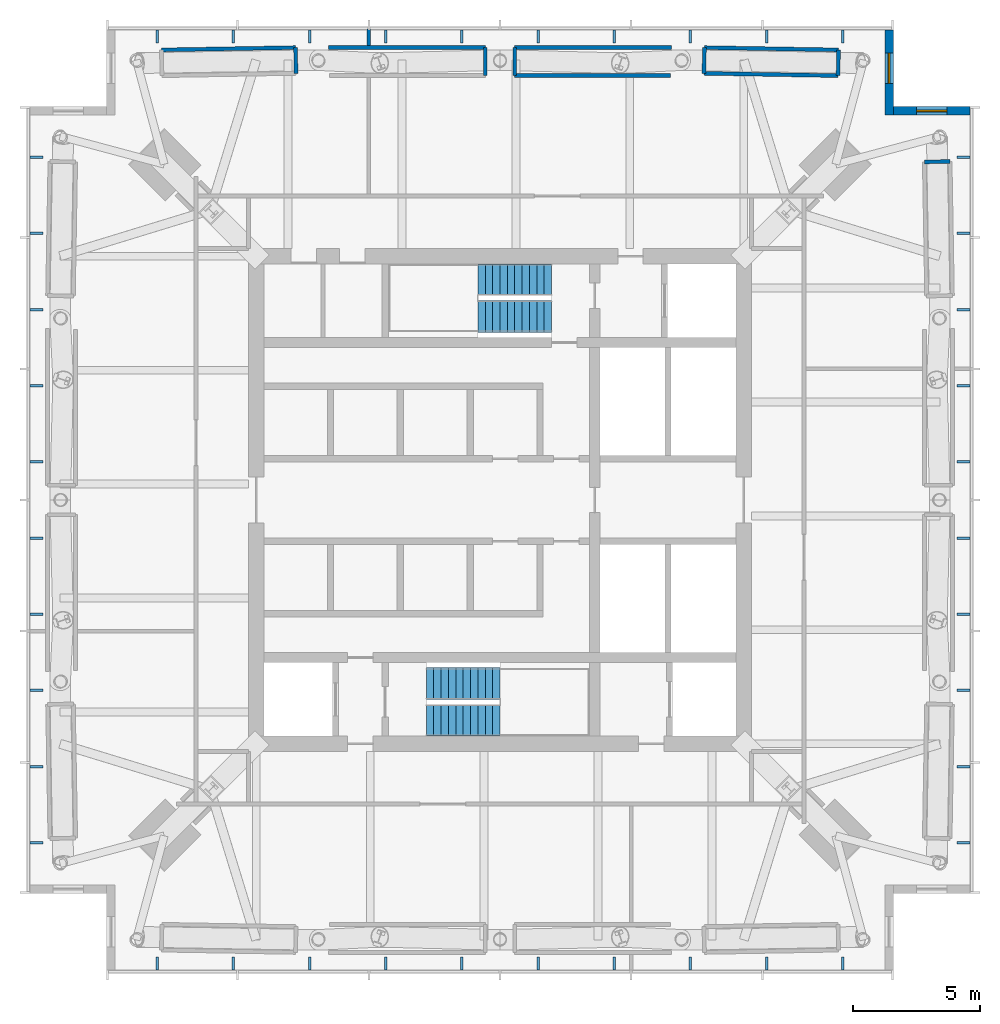
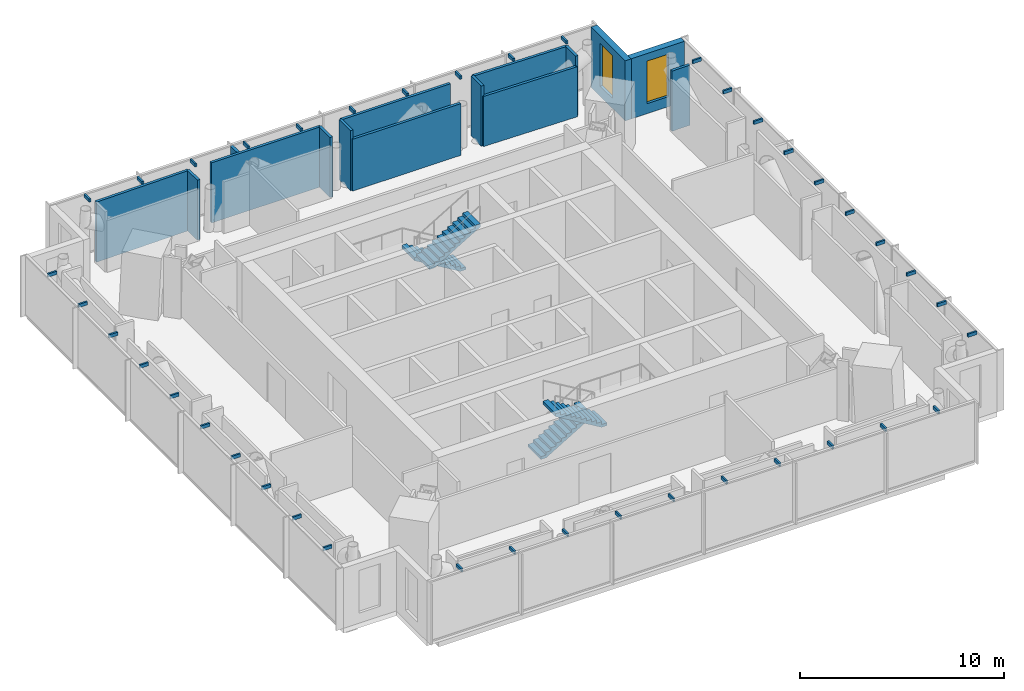
# One storey, part 7 of 8: 40 discrete accessories, 15 walls, 4 stair flights, 2 windows, 2 openings, 2 elements without a shape of their own.
"""IFC4 building model written with IfcOpenShell, lengths in metres."""

from ifc_helpers import new_model, si_unit, direction, frame, frame_2d, origin, origin_2d, place, context, subcontext, project, spatial, polyline, rectangle, outline, extrude, material, layer, layer_set, type_object, element, fill, aggregate, save


model = new_model("IFC4")

# Units and contexts
model_context = context("Model", 3, precision=1e-05, world=origin(), true_north=direction((0.0, 1.0)))
body_context = subcontext(model_context, "Body", "Model", "MODEL_VIEW")
ifc_project = project(units=[si_unit("LENGTHUNIT", "METRE"), si_unit("AREAUNIT", "SQUARE_METRE"), si_unit("VOLUMEUNIT", "CUBIC_METRE"), si_unit("PLANEANGLEUNIT", "RADIAN"), si_unit("MASSUNIT", "GRAM", prefix="KILO")], contexts=[model_context])

# Site, building, storey
site_placement = place(None, origin())
site = spatial("IfcSite", under=ifc_project, at=site_placement, CompositionType="ELEMENT")
building_placement = place(site_placement, origin())
building = spatial("IfcBuilding", under=site, at=building_placement, Name="Ostroluk Exchange", CompositionType="ELEMENT")
storey_placement = place(building_placement, frame((0.0, 0.0, 230.0)))
storey = spatial("IfcBuildingStorey", under=building, at=storey_placement, Name="L59", CompositionType="ELEMENT", Elevation=230.0)

# Wall, opening, window
ifc_material_1 = material(Name="Limestone", Category="masonry")
ifc_layer_1 = layer(ifc_material_1, 0.35009765625)
ifc_layer_set_1 = layer_set([ifc_layer_1], Name="Limestone facade wall 350")
wall_type_1 = type_object("IfcWallType", Name="Limestone facade wall 350", PredefinedType="SOLIDWALL", material=ifc_layer_set_1)
wall_1_placement = place(storey_placement, frame((60.324951171875, 64.5, 0.0), z_axis=(0.0, 0.0, 1.0), x_axis=(0.0, -1.0, 0.0)))
wall_1 = element("IfcWall", 1, at=wall_1_placement, inside=storey, type_object=wall_type_1, Name="Office tower NE corner wall L59 a", PredefinedType="SOLIDWALL", context=body_context, shape_type="SweptSolid", body=[
    extrude(rectangle(XDim=3.35009765625, YDim=0.35009765625, at=frame_2d((1.675048828125, 0.0))), origin(), (0.0, 0.0, 1.0), 3.60009765625),
])
opening_1_placement = place(wall_1_placement, frame((0.89990234375, 0.0, 0.60009765625)))
opening_1 = element("IfcOpeningElement", 2, at=opening_1_placement, cuts=wall_1, Name="Opening WN-LV1", PredefinedType="OPENING", context=body_context, shape_type="SweptSolid", body=[
    extrude(rectangle(XDim=1.199951171875, YDim=2.550048828125, at=frame_2d((0.60009765625, 1.27490234375))), frame((0.0, 0.18505859375, 0.0), z_axis=(0.0, -1.0, 0.0), x_axis=(1.0, 0.0, 0.0)), (0.0, 0.0, 1.0), 0.3701171875),
])
ifc_material_2 = material(Name="Aluminium louvre", Category="aluminium")
window_type = type_object("IfcWindowType", Name="Lancet louvre 1200 x 2550", PartitioningType="SINGLE_PANEL", PredefinedType="USERDEFINED", material=ifc_material_2)
window_1_placement = place(opening_1_placement, origin())
window_1 = element("IfcWindow", 3, at=window_1_placement, inside=storey, type_object=window_type, Name="Office tower NE plant louvre L59", ObjectType="LOUVRE", OverallHeight=2.550048828125, OverallWidth=1.199951171875, PartitioningType="SINGLE_PANEL", PredefinedType="USERDEFINED", context=body_context, shape_type="SweptSolid", body=[
    extrude(rectangle(XDim=1.199951171875, YDim=2.550048828125, at=frame_2d((0.60009765625, 1.27490234375))), frame((0.0, 0.030029296875, 0.0), z_axis=(0.0, -1.0, 0.0), x_axis=(1.0, 0.0, 0.0)), (0.0, 0.0, 1.0), 0.06005859375),
])
fill(opening_1, window_1)

wall_2_placement = place(storey_placement, frame((60.5, 61.324951171875, 0.0), z_axis=(0.0, 0.0, 1.0), x_axis=(1.0, 0.0, 0.0)))
wall_2 = element("IfcWall", 4, at=wall_2_placement, inside=storey, type_object=wall_type_1, Name="Office tower NE corner wall L59 b", PredefinedType="SOLIDWALL", context=body_context, shape_type="SweptSolid", body=[
    extrude(rectangle(XDim=3.0, YDim=0.35009765625, at=frame_2d((1.5, 0.0))), origin(), (0.0, 0.0, 1.0), 3.60009765625),
])
opening_2_placement = place(wall_2_placement, frame((0.89990234375, 0.0, 0.60009765625)))
opening_2 = element("IfcOpeningElement", 5, at=opening_2_placement, cuts=wall_2, Name="Opening WN-LV1", PredefinedType="OPENING", context=body_context, shape_type="SweptSolid", body=[
    extrude(rectangle(XDim=1.199951171875, YDim=2.550048828125, at=frame_2d((0.60009765625, 1.27490234375))), frame((0.0, 0.18505859375, 0.0), z_axis=(0.0, -1.0, 0.0), x_axis=(1.0, 0.0, 0.0)), (0.0, 0.0, 1.0), 0.3701171875),
])
window_2_placement = place(opening_2_placement, origin())
window_2 = element("IfcWindow", 6, at=window_2_placement, inside=storey, type_object=window_type, Name="Office tower NE plant louvre L59", ObjectType="LOUVRE", OverallHeight=2.550048828125, OverallWidth=1.199951171875, PartitioningType="SINGLE_PANEL", PredefinedType="USERDEFINED", context=body_context, shape_type="SweptSolid", body=[
    extrude(rectangle(XDim=1.199951171875, YDim=2.550048828125, at=frame_2d((0.60009765625, 1.27490234375))), frame((0.0, 0.030029296875, 0.0), z_axis=(0.0, -1.0, 0.0), x_axis=(1.0, 0.0, 0.0)), (0.0, 0.0, 1.0), 0.06005859375),
])
fill(opening_2, window_2)

# Walls
ifc_material_3 = material(Name="Gypsum plasterboard partition", Category="gypsum")
ifc_layer_2 = layer(ifc_material_3, 0.14990234375)
ifc_layer_set_2 = layer_set([ifc_layer_2], Name="Plasterboard partition 150")
wall_type_2 = type_object("IfcWallType", Name="Plasterboard partition 150", PredefinedType="PARTITIONING", material=ifc_layer_set_2)
wall_3_placement = place(storey_placement, frame((39.833251953125, 63.88720703125, 0.0), z_axis=(0.0, 0.0, 1.0), x_axis=(0.0, 1.0, 0.0)))
element("IfcWall", 7, at=wall_3_placement, inside=storey, type_object=wall_type_2, Name="Partition", PredefinedType="PARTITIONING", context=body_context, shape_type="SweptSolid", body=[
    extrude(rectangle(XDim=0.65283203125, YDim=0.14990234375, at=frame_2d((0.326416015625, 0.0))), origin(), (0.0, 0.0, 1.0), 3.60009765625),
])
wall_4_placement = place(storey_placement, frame((38.23828125, 63.81201171875, 0.0), z_axis=(0.0, 0.0, 1.0), x_axis=(0.999999996882, 7.8973346e-05, 0.0)))
element("IfcWall", 8, at=wall_4_placement, inside=storey, type_object=wall_type_2, Name="Partition", PredefinedType="PARTITIONING", context=body_context, shape_type="SweptSolid", body=[
    extrude(rectangle(XDim=6.182861328125, YDim=0.14990234375, at=frame_2d((3.09130859375, 0.0))), origin(), (0.0, 0.0, 1.0), 3.60009765625),
])
wall_5_placement = place(storey_placement, frame((44.421142578125, 63.8125, 0.0), z_axis=(0.0, 0.0, 1.0), x_axis=(0.00022128789, -0.999999975516, 0.0)))
element("IfcWall", 9, at=wall_5_placement, inside=storey, type_object=wall_type_2, Name="Partition", PredefinedType="PARTITIONING", context=body_context, shape_type="SweptSolid", body=[
    extrude(rectangle(XDim=1.103271484375, YDim=0.14990234375, at=frame_2d((0.5517578125, 0.0))), origin(), (0.0, 0.0, 1.0), 3.60009765625),
])
wall_6_placement = place(storey_placement, frame((31.671142578125, 63.7216796875, 0.0), z_axis=(0.0, 0.0, 1.0), x_axis=(0.999851276861, 0.017245989654, 0.0)))
element("IfcWall", 10, at=wall_6_placement, inside=storey, type_object=wall_type_2, Name="Partition", PredefinedType="PARTITIONING", context=body_context, shape_type="SweptSolid", body=[
    extrude(rectangle(XDim=5.2802734375, YDim=0.14990234375, at=frame_2d((2.64013671875, 0.0))), origin(), (0.0, 0.0, 1.0), 3.60009765625),
])
for number, where, z_axis, x_axis, name in (
    (11, (36.95068359375, 63.812744140625, 0.0), (0.0, 0.0, 1.0), (0.017110052176, -0.999853612343, 0.0), "Partition"),
    (12, (61.708740234375, 59.311279296875, 0.0), (0.0, 0.0, 1.0), (0.999849460645, 0.017350966779, 0.0), "Partition"),
):
    element("IfcWall", number, at=place(storey_placement, frame(where, z_axis=z_axis, x_axis=x_axis)), inside=storey, type_object=wall_type_2, Name=name, PredefinedType="PARTITIONING", context=body_context, shape_type="SweptSolid", body=[
        extrude(rectangle(XDim=1.01318359375, YDim=0.14990234375, at=frame_2d((0.506591796875, 0.0))), origin(), (0.0, 0.0, 1.0), 3.60009765625),
    ])
wall_7_placement = place(storey_placement, frame((51.711669921875, 62.708740234375, 0.0), z_axis=(0.0, 0.0, 1.0), x_axis=(-0.999999996831, 7.9614665e-05, 0.0)))
element("IfcWall", 13, at=wall_7_placement, inside=storey, type_object=wall_type_2, Name="Partition", PredefinedType="PARTITIONING", context=body_context, shape_type="SweptSolid", body=[
    extrude(rectangle(XDim=6.133056640625, YDim=0.14990234375, at=frame_2d((3.06640625, 0.0))), origin(), (0.0, 0.0, 1.0), 3.10009765625),
])
wall_8_placement = place(storey_placement, frame((45.57861328125, 62.709228515625, 0.0), z_axis=(0.0, 0.0, 1.0), x_axis=(0.00022128789, 0.999999975516, 0.0)))
element("IfcWall", 14, at=wall_8_placement, inside=storey, type_object=wall_type_2, Name="Partition", PredefinedType="PARTITIONING", context=body_context, shape_type="SweptSolid", body=[
    extrude(rectangle(XDim=1.103271484375, YDim=0.14990234375, at=frame_2d((0.5517578125, 0.0))), origin(), (0.0, 0.0, 1.0), 3.60009765625),
])
wall_9_placement = place(storey_placement, frame((45.578857421875, 63.8125, 0.0), z_axis=(0.0, 0.0, 1.0), x_axis=(0.999999996882, -7.8973346e-05, 0.0)))
element("IfcWall", 15, at=wall_9_placement, inside=storey, type_object=wall_type_2, Name="Partition", PredefinedType="PARTITIONING", context=body_context, shape_type="SweptSolid", body=[
    extrude(rectangle(XDim=6.182861328125, YDim=0.14990234375, at=frame_2d((3.09130859375, 0.0))), origin(), (0.0, 0.0, 1.0), 3.60009765625),
])
wall_10_placement = place(storey_placement, frame((58.311279296875, 62.708740234375, 0.0), z_axis=(0.0, 0.0, 1.0), x_axis=(-0.999851263109, 0.017246786956, 0.0)))
element("IfcWall", 16, at=wall_10_placement, inside=storey, type_object=wall_type_2, Name="Partition", PredefinedType="PARTITIONING", context=body_context, shape_type="SweptSolid", body=[
    extrude(rectangle(XDim=5.280029296875, YDim=0.14990234375, at=frame_2d((2.64013671875, 0.0))), origin(), (0.0, 0.0, 1.0), 3.0),
])
wall_11_placement = place(storey_placement, frame((53.031982421875, 62.7998046875, 0.0), z_axis=(0.0, 0.0, 1.0), x_axis=(0.017110052176, 0.999853612343, 0.0)))
element("IfcWall", 17, at=wall_11_placement, inside=storey, type_object=wall_type_2, Name="Partition", PredefinedType="PARTITIONING", context=body_context, shape_type="SweptSolid", body=[
    extrude(rectangle(XDim=1.01318359375, YDim=0.14990234375, at=frame_2d((0.506591796875, 0.0))), origin(), (0.0, 0.0, 1.0), 3.60009765625),
])
wall_12_placement = place(storey_placement, frame((53.04931640625, 63.812744140625, 0.0), z_axis=(0.0, 0.0, 1.0), x_axis=(0.999851276861, -0.017245989654, 0.0)))
element("IfcWall", 18, at=wall_12_placement, inside=storey, type_object=wall_type_2, Name="Partition", PredefinedType="PARTITIONING", context=body_context, shape_type="SweptSolid", body=[
    extrude(rectangle(XDim=5.2802734375, YDim=0.14990234375, at=frame_2d((2.64013671875, 0.0))), origin(), (0.0, 0.0, 1.0), 3.60009765625),
])
wall_13_placement = place(storey_placement, frame((58.328857421875, 63.7216796875, 0.0), z_axis=(0.0, 0.0, 1.0), x_axis=(-0.017350966779, -0.999849460645, 0.0)))
element("IfcWall", 19, at=wall_13_placement, inside=storey, type_object=wall_type_2, Name="Partition", PredefinedType="PARTITIONING", context=body_context, shape_type="SweptSolid", body=[
    extrude(rectangle(XDim=1.01318359375, YDim=0.14990234375, at=frame_2d((0.506591796875, 0.0))), origin(), (0.0, 0.0, 1.0), 3.60009765625),
])

# Stair, stair flights
ifc_material_4 = material(Name="Concrete C30/37", Category="concrete")
stair_type = type_object("IfcStairType", Name="Exit stair half turn 3800", PredefinedType="HALF_TURN_STAIR", material=ifc_material_4)
stair_1_placement = place(storey_placement, origin())
stair_1 = element("IfcStair", 20, at=stair_1_placement, inside=storey, type_object=stair_type, Name="Stair T1-S1 L59", PredefinedType="HALF_TURN_STAIR")
ifc_material_5 = material(Name="Concrete C30/37", Category="concrete")
stair_flight_type = type_object("IfcStairFlightType", Name="Stair flight 11 risers 172.7 x 290", PredefinedType="STRAIGHT", material=ifc_material_5)
stair_flight_1_placement = place(storey_placement, frame((42.10009765625, 38.77490234375, 0.0), z_axis=(0.0, 0.0, 1.0), x_axis=(1.0, 0.0, 0.0)))
stair_flight_1 = element("IfcStairFlight", 21, at=stair_flight_1_placement, type_object=stair_flight_type, Name="T1-S1 flight 1", NumberOfRisers=11, NumberOfTreads=10, PredefinedType="STRAIGHT", RiserHeight=0.172727273, TreadLength=0.29, context=body_context, shape_type="SweptSolid", body=[
    extrude(outline(polyline([(0.0, 0.0), (0.0, 0.172607421875), (0.2900390625, 0.172607421875), (0.2900390625, 0.345458984375), (0.580078125, 0.345458984375), (0.580078125, 0.51806640625), (0.8701171875, 0.51806640625), (0.8701171875, 0.69091796875), (1.159912109375, 0.69091796875), (1.159912109375, 0.863525390625), (1.449951171875, 0.863525390625), (1.449951171875, 1.036376953125), (1.739990234375, 1.036376953125), (1.739990234375, 1.208984375), (2.030029296875, 1.208984375), (2.030029296875, 1.3818359375), (2.320068359375, 1.3818359375), (2.320068359375, 1.554443359375), (2.610107421875, 1.554443359375), (2.610107421875, 1.727294921875), (2.89990234375, 1.727294921875), (2.89990234375, 1.89990234375), (2.89990234375, 1.552734375), (0.29296875, 0.0), (0.0, 0.0)])), frame((0.0, 0.625, 0.0), z_axis=(0.0, -1.0, 0.0), x_axis=(1.0, 0.0, 0.0)), (0.0, 0.0, 1.0), 1.25),
])
stair_flight_2_placement = place(storey_placement, frame((45.0, 37.324951171875, 1.89990234375), z_axis=(0.0, 0.0, 1.0), x_axis=(-1.0, 0.0, 0.0)))
stair_flight_2 = element("IfcStairFlight", 22, at=stair_flight_2_placement, type_object=stair_flight_type, Name="T1-S1 flight 2", NumberOfRisers=11, NumberOfTreads=10, PredefinedType="STRAIGHT", RiserHeight=0.172727273, TreadLength=0.29, context=body_context, shape_type="SweptSolid", body=[
    extrude(outline(polyline([(0.0, 0.0), (0.0, 0.172607421875), (0.2900390625, 0.172607421875), (0.2900390625, 0.345458984375), (0.580078125, 0.345458984375), (0.580078125, 0.51806640625), (0.8701171875, 0.51806640625), (0.8701171875, 0.69091796875), (1.159912109375, 0.69091796875), (1.159912109375, 0.863525390625), (1.449951171875, 0.863525390625), (1.449951171875, 1.036376953125), (1.739990234375, 1.036376953125), (1.739990234375, 1.208984375), (2.030029296875, 1.208984375), (2.030029296875, 1.3818359375), (2.320068359375, 1.3818359375), (2.320068359375, 1.554443359375), (2.610107421875, 1.554443359375), (2.610107421875, 1.727294921875), (2.89990234375, 1.727294921875), (2.89990234375, 1.89990234375), (2.89990234375, 1.552734375), (0.29296875, 0.0), (0.0, 0.0)])), frame((0.0, 0.625, 0.0), z_axis=(0.0, -1.0, 0.0), x_axis=(1.0, 0.0, 0.0)), (0.0, 0.0, 1.0), 1.25),
])
aggregate(stair_1, [stair_flight_1, stair_flight_2])

stair_2_placement = place(storey_placement, origin())
stair_2 = element("IfcStair", 23, at=stair_2_placement, inside=storey, type_object=stair_type, Name="Stair T1-S2 L59", PredefinedType="HALF_TURN_STAIR")
stair_flight_3_placement = place(storey_placement, frame((47.030029296875, 54.675048828125, 0.0), z_axis=(0.0, 0.0, 1.0), x_axis=(-1.0, 0.0, 0.0)))
stair_flight_3 = element("IfcStairFlight", 24, at=stair_flight_3_placement, type_object=stair_flight_type, Name="T1-S2 flight 1", NumberOfRisers=11, NumberOfTreads=10, PredefinedType="STRAIGHT", RiserHeight=0.172727273, TreadLength=0.29, context=body_context, shape_type="SweptSolid", body=[
    extrude(outline(polyline([(0.0, 0.0), (0.0, 0.172607421875), (0.2900390625, 0.172607421875), (0.2900390625, 0.345458984375), (0.580078125, 0.345458984375), (0.580078125, 0.51806640625), (0.8701171875, 0.51806640625), (0.8701171875, 0.69091796875), (1.159912109375, 0.69091796875), (1.159912109375, 0.863525390625), (1.449951171875, 0.863525390625), (1.449951171875, 1.036376953125), (1.739990234375, 1.036376953125), (1.739990234375, 1.208984375), (2.030029296875, 1.208984375), (2.030029296875, 1.3818359375), (2.320068359375, 1.3818359375), (2.320068359375, 1.554443359375), (2.610107421875, 1.554443359375), (2.610107421875, 1.727294921875), (2.89990234375, 1.727294921875), (2.89990234375, 1.89990234375), (2.89990234375, 1.552734375), (0.29296875, 0.0), (0.0, 0.0)])), frame((0.0, 0.625, 0.0), z_axis=(0.0, -1.0, 0.0), x_axis=(1.0, 0.0, 0.0)), (0.0, 0.0, 1.0), 1.25),
])
stair_flight_4_placement = place(storey_placement, frame((44.1298828125, 53.22509765625, 1.89990234375), z_axis=(0.0, 0.0, 1.0), x_axis=(1.0, 0.0, 0.0)))
stair_flight_4 = element("IfcStairFlight", 25, at=stair_flight_4_placement, type_object=stair_flight_type, Name="T1-S2 flight 2", NumberOfRisers=11, NumberOfTreads=10, PredefinedType="STRAIGHT", RiserHeight=0.172727273, TreadLength=0.29, context=body_context, shape_type="SweptSolid", body=[
    extrude(outline(polyline([(0.0, 0.0), (0.0, 0.172607421875), (0.2900390625, 0.172607421875), (0.2900390625, 0.345458984375), (0.580078125, 0.345458984375), (0.580078125, 0.51806640625), (0.8701171875, 0.51806640625), (0.8701171875, 0.69091796875), (1.159912109375, 0.69091796875), (1.159912109375, 0.863525390625), (1.449951171875, 0.863525390625), (1.449951171875, 1.036376953125), (1.739990234375, 1.036376953125), (1.739990234375, 1.208984375), (2.030029296875, 1.208984375), (2.030029296875, 1.3818359375), (2.320068359375, 1.3818359375), (2.320068359375, 1.554443359375), (2.610107421875, 1.554443359375), (2.610107421875, 1.727294921875), (2.89990234375, 1.727294921875), (2.89990234375, 1.89990234375), (2.89990234375, 1.552734375), (0.29296875, 0.0), (0.0, 0.0)])), frame((0.0, 0.625, 0.0), z_axis=(0.0, -1.0, 0.0), x_axis=(1.0, 0.0, 0.0)), (0.0, 0.0, 1.0), 1.25),
])
aggregate(stair_2, [stair_flight_3, stair_flight_4])

# Discrete accessories
ifc_material_6 = material(Name="Steel S355", Category="steel")
discrete_accessory_type = type_object("IfcDiscreteAccessoryType", Name="Maintenance roof bracket", PredefinedType="BRACKET", material=ifc_material_6)
for number, where, z_axis, x_axis, name in (
    (26, (31.5, 27.75, 3.4501953125), (0.0, 0.0, 1.0), (1.0, 0.0, 0.0), "Maintenance roof bracket L60 south 1"),
    (27, (34.5, 27.75, 3.4501953125), (0.0, 0.0, 1.0), (1.0, 0.0, 0.0), "Maintenance roof bracket L60 south 2"),
    (28, (37.5, 27.75, 3.4501953125), (0.0, 0.0, 1.0), (1.0, 0.0, 0.0), "Maintenance roof bracket L60 south 3"),
    (29, (40.5, 27.75, 3.4501953125), (0.0, 0.0, 1.0), (1.0, 0.0, 0.0), "Maintenance roof bracket L60 south 4"),
    (30, (43.5, 27.75, 3.4501953125), (0.0, 0.0, 1.0), (1.0, 0.0, 0.0), "Maintenance roof bracket L60 south 5"),
    (31, (46.5, 27.75, 3.4501953125), (0.0, 0.0, 1.0), (1.0, 0.0, 0.0), "Maintenance roof bracket L60 south 6"),
    (32, (49.5, 27.75, 3.4501953125), (0.0, 0.0, 1.0), (1.0, 0.0, 0.0), "Maintenance roof bracket L60 south 7"),
    (33, (52.5, 27.75, 3.4501953125), (0.0, 0.0, 1.0), (1.0, 0.0, 0.0), "Maintenance roof bracket L60 south 8"),
    (34, (55.5, 27.75, 3.4501953125), (0.0, 0.0, 1.0), (1.0, 0.0, 0.0), "Maintenance roof bracket L60 south 9"),
    (35, (58.5, 27.75, 3.4501953125), (0.0, 0.0, 1.0), (1.0, 0.0, 0.0), "Maintenance roof bracket L60 south 10"),
):
    element("IfcDiscreteAccessory", number, at=place(storey_placement, frame(where, z_axis=z_axis, x_axis=x_axis)), inside=storey, type_object=discrete_accessory_type, Name=name, PredefinedType="BRACKET", context=body_context, shape_type="SweptSolid", body=[
        extrude(rectangle(XDim=0.10009765625, YDim=0.5, at=origin_2d()), origin(), (0.0, 0.0, 1.0), 0.199951171875),
    ])
for number, where, z_axis, x_axis, name in (
    (36, (63.25, 32.5, 3.4501953125), (0.0, 0.0, 1.0), (1.0, 0.0, 0.0), "Maintenance roof bracket L60 east 1"),
    (37, (63.25, 35.5, 3.4501953125), (0.0, 0.0, 1.0), (1.0, 0.0, 0.0), "Maintenance roof bracket L60 east 2"),
    (38, (63.25, 38.5, 3.4501953125), (0.0, 0.0, 1.0), (1.0, 0.0, 0.0), "Maintenance roof bracket L60 east 3"),
    (39, (63.25, 41.5, 3.4501953125), (0.0, 0.0, 1.0), (1.0, 0.0, 0.0), "Maintenance roof bracket L60 east 4"),
    (40, (63.25, 44.5, 3.4501953125), (0.0, 0.0, 1.0), (1.0, 0.0, 0.0), "Maintenance roof bracket L60 east 5"),
    (41, (63.25, 47.5, 3.4501953125), (0.0, 0.0, 1.0), (1.0, 0.0, 0.0), "Maintenance roof bracket L60 east 6"),
    (42, (63.25, 50.5, 3.4501953125), (0.0, 0.0, 1.0), (1.0, 0.0, 0.0), "Maintenance roof bracket L60 east 7"),
    (43, (63.25, 53.5, 3.4501953125), (0.0, 0.0, 1.0), (1.0, 0.0, 0.0), "Maintenance roof bracket L60 east 8"),
    (44, (63.25, 56.5, 3.4501953125), (0.0, 0.0, 1.0), (1.0, 0.0, 0.0), "Maintenance roof bracket L60 east 9"),
    (45, (63.25, 59.5, 3.4501953125), (0.0, 0.0, 1.0), (1.0, 0.0, 0.0), "Maintenance roof bracket L60 east 10"),
):
    element("IfcDiscreteAccessory", number, at=place(storey_placement, frame(where, z_axis=z_axis, x_axis=x_axis)), inside=storey, type_object=discrete_accessory_type, Name=name, PredefinedType="BRACKET", context=body_context, shape_type="SweptSolid", body=[
        extrude(rectangle(XDim=0.5, YDim=0.10009765625, at=origin_2d()), origin(), (0.0, 0.0, 1.0), 0.199951171875),
    ])
for number, where, z_axis, x_axis, name in (
    (46, (31.5, 64.25, 3.4501953125), (0.0, 0.0, 1.0), (1.0, 0.0, 0.0), "Maintenance roof bracket L60 north 1"),
    (47, (34.5, 64.25, 3.4501953125), (0.0, 0.0, 1.0), (1.0, 0.0, 0.0), "Maintenance roof bracket L60 north 2"),
    (48, (37.5, 64.25, 3.4501953125), (0.0, 0.0, 1.0), (1.0, 0.0, 0.0), "Maintenance roof bracket L60 north 3"),
    (49, (40.5, 64.25, 3.4501953125), (0.0, 0.0, 1.0), (1.0, 0.0, 0.0), "Maintenance roof bracket L60 north 4"),
    (50, (43.5, 64.25, 3.4501953125), (0.0, 0.0, 1.0), (1.0, 0.0, 0.0), "Maintenance roof bracket L60 north 5"),
    (51, (46.5, 64.25, 3.4501953125), (0.0, 0.0, 1.0), (1.0, 0.0, 0.0), "Maintenance roof bracket L60 north 6"),
    (52, (49.5, 64.25, 3.4501953125), (0.0, 0.0, 1.0), (1.0, 0.0, 0.0), "Maintenance roof bracket L60 north 7"),
    (53, (52.5, 64.25, 3.4501953125), (0.0, 0.0, 1.0), (1.0, 0.0, 0.0), "Maintenance roof bracket L60 north 8"),
    (54, (55.5, 64.25, 3.4501953125), (0.0, 0.0, 1.0), (1.0, 0.0, 0.0), "Maintenance roof bracket L60 north 9"),
    (55, (58.5, 64.25, 3.4501953125), (0.0, 0.0, 1.0), (1.0, 0.0, 0.0), "Maintenance roof bracket L60 north 10"),
):
    element("IfcDiscreteAccessory", number, at=place(storey_placement, frame(where, z_axis=z_axis, x_axis=x_axis)), inside=storey, type_object=discrete_accessory_type, Name=name, PredefinedType="BRACKET", context=body_context, shape_type="SweptSolid", body=[
        extrude(rectangle(XDim=0.10009765625, YDim=0.5, at=origin_2d()), origin(), (0.0, 0.0, 1.0), 0.199951171875),
    ])
for number, where, z_axis, x_axis, name in (
    (56, (26.75, 32.5, 3.4501953125), (0.0, 0.0, 1.0), (1.0, 0.0, 0.0), "Maintenance roof bracket L60 west 1"),
    (57, (26.75, 35.5, 3.4501953125), (0.0, 0.0, 1.0), (1.0, 0.0, 0.0), "Maintenance roof bracket L60 west 2"),
    (58, (26.75, 38.5, 3.4501953125), (0.0, 0.0, 1.0), (1.0, 0.0, 0.0), "Maintenance roof bracket L60 west 3"),
    (59, (26.75, 41.5, 3.4501953125), (0.0, 0.0, 1.0), (1.0, 0.0, 0.0), "Maintenance roof bracket L60 west 4"),
    (60, (26.75, 44.5, 3.4501953125), (0.0, 0.0, 1.0), (1.0, 0.0, 0.0), "Maintenance roof bracket L60 west 5"),
    (61, (26.75, 47.5, 3.4501953125), (0.0, 0.0, 1.0), (1.0, 0.0, 0.0), "Maintenance roof bracket L60 west 6"),
    (62, (26.75, 50.5, 3.4501953125), (0.0, 0.0, 1.0), (1.0, 0.0, 0.0), "Maintenance roof bracket L60 west 7"),
    (63, (26.75, 53.5, 3.4501953125), (0.0, 0.0, 1.0), (1.0, 0.0, 0.0), "Maintenance roof bracket L60 west 8"),
    (64, (26.75, 56.5, 3.4501953125), (0.0, 0.0, 1.0), (1.0, 0.0, 0.0), "Maintenance roof bracket L60 west 9"),
    (65, (26.75, 59.5, 3.4501953125), (0.0, 0.0, 1.0), (1.0, 0.0, 0.0), "Maintenance roof bracket L60 west 10"),
):
    element("IfcDiscreteAccessory", number, at=place(storey_placement, frame(where, z_axis=z_axis, x_axis=x_axis)), inside=storey, type_object=discrete_accessory_type, Name=name, PredefinedType="BRACKET", context=body_context, shape_type="SweptSolid", body=[
        extrude(rectangle(XDim=0.5, YDim=0.10009765625, at=origin_2d()), origin(), (0.0, 0.0, 1.0), 0.199951171875),
    ])

save(model, "model.ifc")
